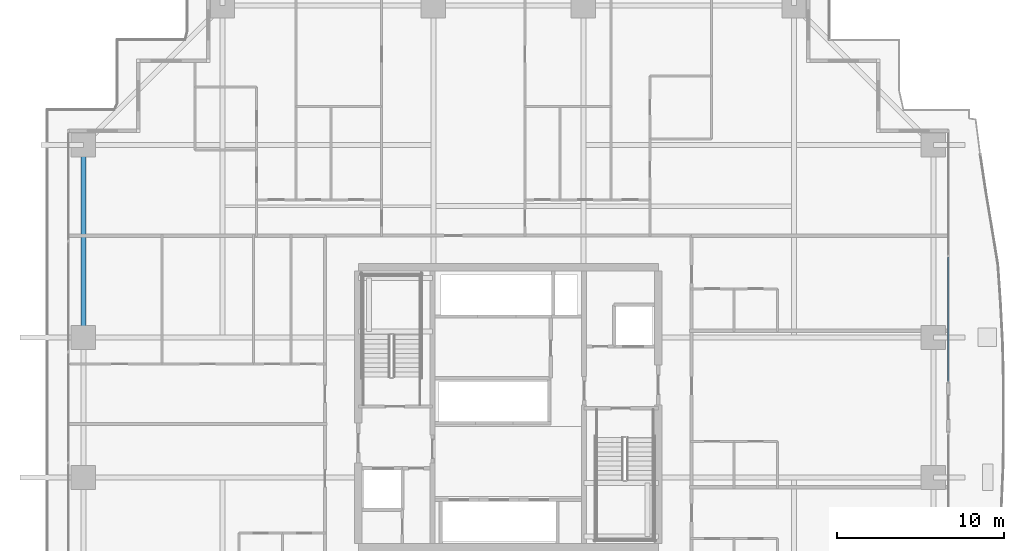
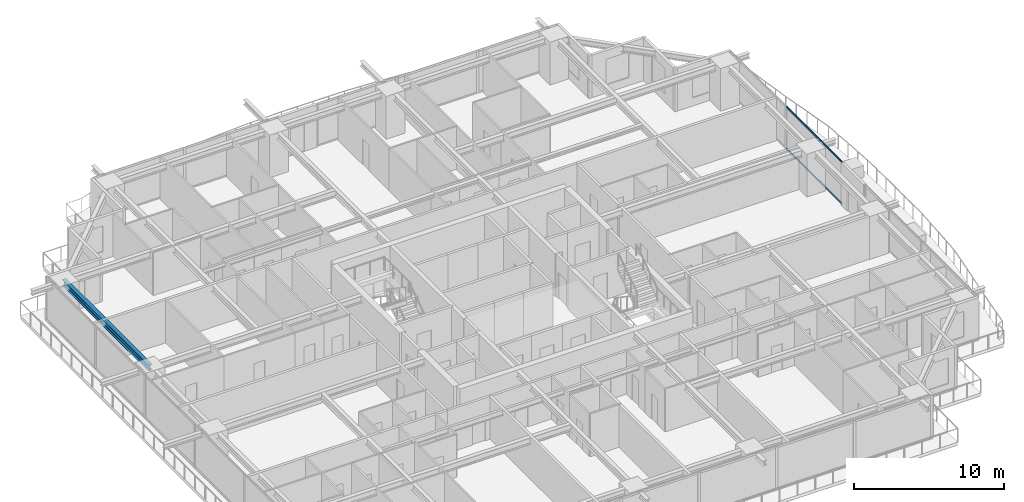
# One storey, part 15 of 38: 2 members, 1 beam, 1 element without a shape of its own.
"""IFC4 building model written with IfcOpenShell, lengths in metres."""

from ifc_helpers import new_model, si_unit, direction, frame, origin, origin_2d, place, context, subcontext, project, spatial, hollow_rectangle, i_section, extrude, source, transform, mapped, material, layer, layer_set, material_profile, profile_set, type_object, element, aggregate, save


model = new_model("IFC4")

# Units and contexts
model_context = context("Model", 3, precision=1e-05, world=origin(), true_north=direction((0.0, 1.0)))
body_context = subcontext(model_context, "Body", "Model", "MODEL_VIEW")
ifc_project = project(units=[si_unit("LENGTHUNIT", "METRE"), si_unit("AREAUNIT", "SQUARE_METRE"), si_unit("VOLUMEUNIT", "CUBIC_METRE"), si_unit("PLANEANGLEUNIT", "RADIAN"), si_unit("MASSUNIT", "GRAM", prefix="KILO")], contexts=[model_context])

# Site, building, storey
site_placement = place(None, origin())
site = spatial("IfcSite", under=ifc_project, at=site_placement, CompositionType="ELEMENT")
building_placement = place(site_placement, origin())
building = spatial("IfcBuilding", under=site, at=building_placement, Name="Serunith Strait Residences", CompositionType="ELEMENT")
storey_placement = place(building_placement, frame((0.0, 0.0, 67.949951171875)))
storey = spatial("IfcBuildingStorey", under=building, at=storey_placement, Name="L16", CompositionType="ELEMENT", Elevation=67.949951171875)

# Beam
ifc_material_1 = material(Name="Steel S355J2", Category="steel")
ifc_material_profile_1 = material_profile(ifc_material_1, i_section(OverallWidth=0.300048828125, OverallDepth=0.5, WebThickness=0.014404296875, FlangeThickness=0.028076171875, FilletRadius=0.027099609375, at=origin_2d()), Name="HEB 500")
ifc_profile_set_1 = profile_set([ifc_material_profile_1], Name="Steel S355J2")
beam_type = type_object("IfcBeamType", Name="BM-HEB500", PredefinedType="BEAM", material=ifc_profile_set_1)
shared_shape_1 = source(origin(), body_context, "Body", "SweptSolid", [
    extrude(i_section(OverallWidth=0.300048828125, OverallDepth=0.5, WebThickness=0.014404296875, FlangeThickness=0.028076171875, FilletRadius=0.027099609375, at=origin_2d()), origin(), (0.0, 0.0, 1.0), 11.550048828125),
])
beam_placement = place(storey_placement, frame((6.89990234375, 40.949951171875, 3.237060546875), z_axis=(0.0, -1.0, 0.0), x_axis=(1.0, 0.0, 0.0)))
element("IfcBeam", 1, at=beam_placement, inside=storey, type_object=beam_type, Name="L16 Perimeter Ring Beam 13", PredefinedType="BEAM", context=body_context, shape_type="MappedRepresentation", body=[
    mapped(shared_shape_1, transform((0.0, 0.0, 0.0), scale=1.0)),
])

# Curtain wall, members
ifc_material_2 = material(Name="Pale-Champagne Anodised Aluminium", Category="aluminium")
ifc_layer = layer(ifc_material_2, 0.199951171875, Name="Pale-Champagne Anodised Aluminium")
ifc_layer_set = layer_set([ifc_layer], Name="Pale-Champagne Anodised Aluminium")
curtain_wall_type = type_object("IfcCurtainWallType", Name="CW-SYS1", PredefinedType="NOTDEFINED", material=ifc_layer_set)
curtain_wall_placement = place(storey_placement, origin())
curtain_wall = element("IfcCurtainWall", 2, at=curtain_wall_placement, inside=storey, type_object=curtain_wall_type, Name="L16 E Unitised Fritted Curtain Wall", PredefinedType="NOTDEFINED")
ifc_material_profile_2 = material_profile(ifc_material_2, hollow_rectangle(XDim=0.06005859375, YDim=0.159912109375, WallThickness=0.00341796875, InnerFilletRadius=0.00537109375, OuterFilletRadius=0.0087890625, at=origin_2d()), Name="ALU 160x60x3.5")
ifc_profile_set_2 = profile_set([ifc_material_profile_2], Name="Pale-Champagne Anodised Aluminium")
member_type = type_object("IfcMemberType", Name="CW-SYS1-TRAN", PredefinedType="USERDEFINED", material=ifc_profile_set_2)
shared_shape_2 = source(origin(), body_context, "Body", "SweptSolid", [
    extrude(hollow_rectangle(XDim=0.06005859375, YDim=0.159912109375, WallThickness=0.00341796875, InnerFilletRadius=0.00537109375, OuterFilletRadius=0.0087890625, at=origin_2d()), origin(), (0.0, 0.0, 1.0), 7.445068359375),
])
member_1_placement = place(storey_placement, frame((58.800048828125, 26.77001953125, 0.030029296875), z_axis=(0.0, 1.0, 0.0), x_axis=(-1.0, 0.0, 0.0)))
member_1 = element("IfcMember", 3, at=member_1_placement, type_object=member_type, Name="CW-1 transom 1.1", ObjectType="TRANSOM", PredefinedType="USERDEFINED", context=body_context, shape_type="MappedRepresentation", body=[
    mapped(shared_shape_2, transform((0.0, 0.0, 0.0), scale=1.0)),
])
member_2_placement = place(storey_placement, frame((58.800048828125, 26.77001953125, 3.445068359375), z_axis=(0.0, 1.0, 0.0), x_axis=(-1.0, 0.0, 0.0)))
member_2 = element("IfcMember", 4, at=member_2_placement, type_object=member_type, Name="CW-1 transom 1.2", ObjectType="TRANSOM", PredefinedType="USERDEFINED", context=body_context, shape_type="MappedRepresentation", body=[
    mapped(shared_shape_2, transform((0.0, 0.0, 0.0), scale=1.0)),
])
aggregate(curtain_wall, [member_1, member_2])

save(model, "model.ifc")
